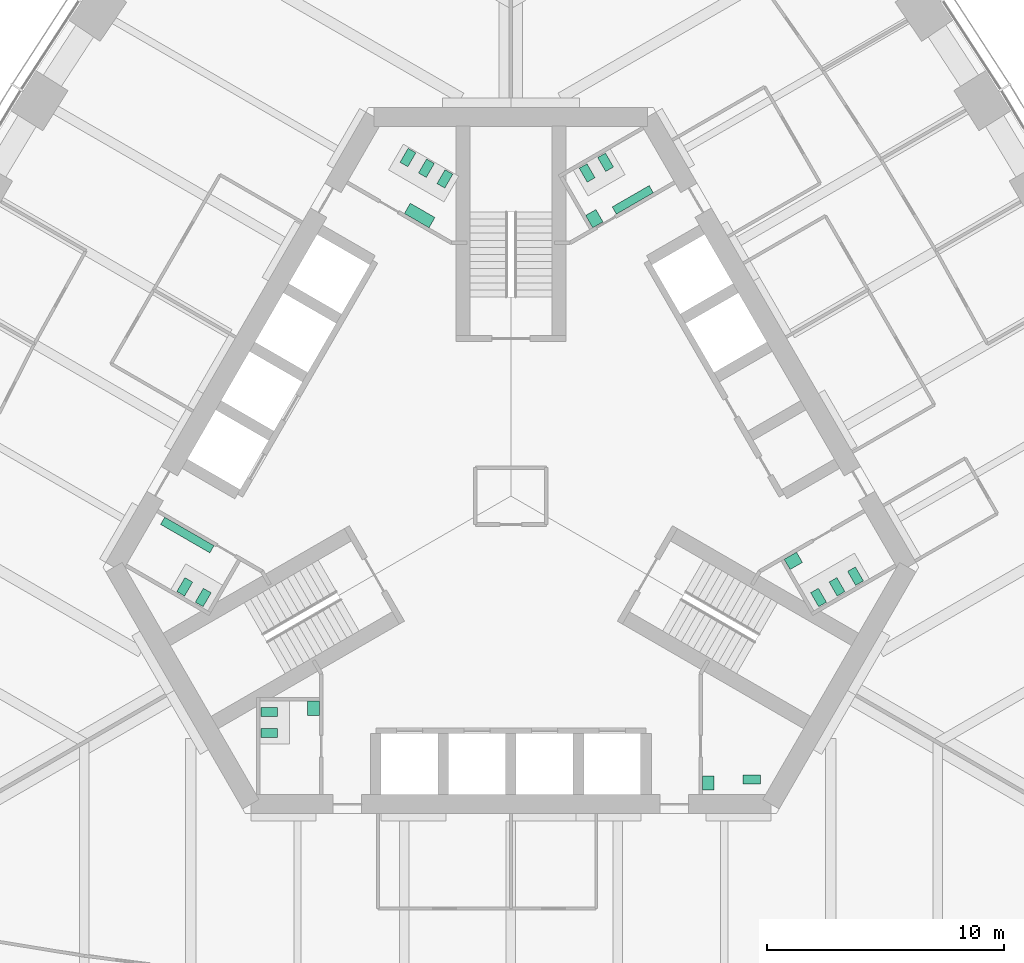
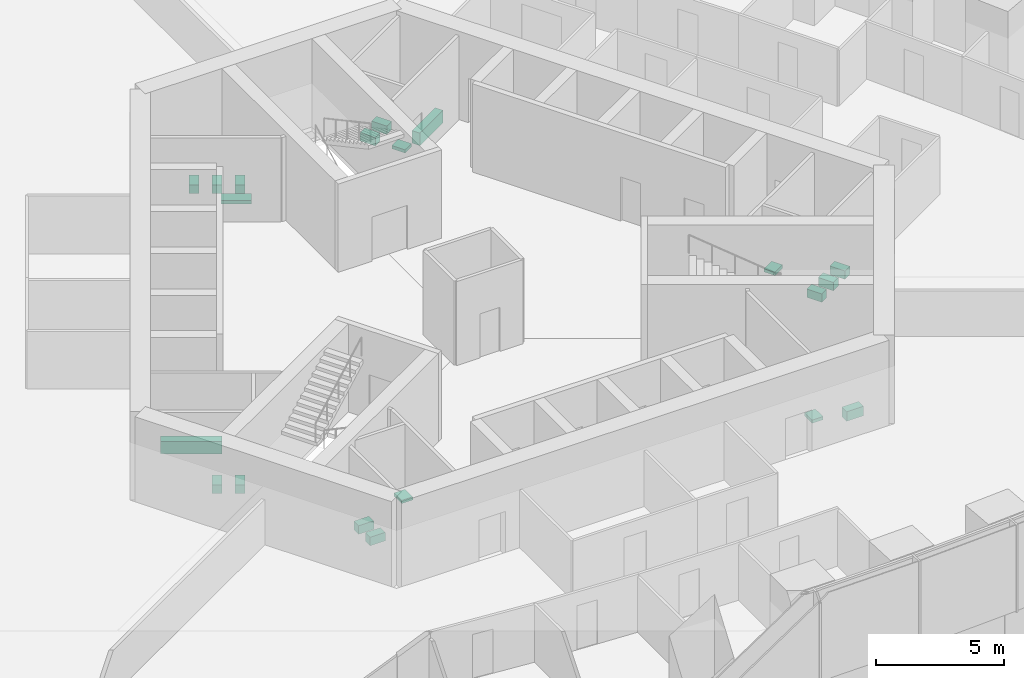
# One storey, part 17 of 18: 20 sanitary terminals.
"""IFC4 building model written with IfcOpenShell, lengths in metres."""

from ifc_helpers import new_model, si_unit, direction, frame, origin, place, context, subcontext, project, spatial, polyline, outline, extrude, material, type_object, element, save


model = new_model("IFC4")

# Units and contexts
model_context = context("Model", 3, precision=1e-05, world=origin(), true_north=direction((0.0, 1.0)))
body_context = subcontext(model_context, "Body", "Model", "MODEL_VIEW")
ifc_project = project(units=[si_unit("LENGTHUNIT", "METRE"), si_unit("AREAUNIT", "SQUARE_METRE"), si_unit("VOLUMEUNIT", "CUBIC_METRE"), si_unit("PLANEANGLEUNIT", "RADIAN"), si_unit("MASSUNIT", "GRAM", prefix="KILO")], contexts=[model_context])

# Site, building, storey
site_placement = place(None, origin())
site = spatial("IfcSite", under=ifc_project, at=site_placement, CompositionType="ELEMENT")
building_placement = place(site_placement, origin())
building = spatial("IfcBuilding", under=site, at=building_placement, Name="Trefoil Bronze Tower", CompositionType="ELEMENT")
storey_placement = place(building_placement, frame((0.0, 0.0, 157.699951171875)))
storey = spatial("IfcBuildingStorey", under=building, at=storey_placement, Name="L36", CompositionType="ELEMENT", Elevation=157.699951171875)

# Sanitary terminals
ifc_material_1 = material(Name="Vitreous china", Category="ceramic")
sanitary_terminal_type_1 = type_object("IfcSanitaryTerminalType", Name="Accessible WC pan", PredefinedType="TOILETPAN", material=ifc_material_1)
sanitary_terminal_1_placement = place(storey_placement, origin())
element("IfcSanitaryTerminal", 1, at=sanitary_terminal_1_placement, inside=storey, type_object=sanitary_terminal_type_1, Name="WC pan 1 Accessible WC L36", PredefinedType="TOILETPAN", context=body_context, shape_type="SweptSolid", body=[
    extrude(outline(polyline([(9.784912109375, -11.77001953125), (10.534912109375, -11.77001953125), (10.534912109375, -12.14990234375), (9.784912109375, -12.14990234375), (9.784912109375, -11.77001953125)])), origin(), (0.0, 0.0, 1.0), 0.449951171875),
])
ifc_material_2 = material(Name="Vitreous china", Category="ceramic")
sanitary_terminal_type_2 = type_object("IfcSanitaryTerminalType", Name="Accessible basin", PredefinedType="WASHHANDBASIN", material=ifc_material_2)
sanitary_terminal_2_placement = place(storey_placement, frame((0.0, 0.0, 0.650146484375)))
element("IfcSanitaryTerminal", 2, at=sanitary_terminal_2_placement, inside=storey, type_object=sanitary_terminal_type_2, Name="Wash basin Accessible WC L36", PredefinedType="WASHHANDBASIN", context=body_context, shape_type="SweptSolid", body=[
    extrude(outline(polyline([(8.074951171875, -11.800048828125), (8.574951171875, -11.800048828125), (8.574951171875, -12.39990234375), (8.074951171875, -12.39990234375), (8.074951171875, -11.800048828125)])), origin(), (0.0, 0.0, 1.0), 0.14990234375),
])
ifc_material_3 = material(Name="Vitreous china", Category="ceramic")
sanitary_terminal_type_3 = type_object("IfcSanitaryTerminalType", Name="Urinal range 3 urinals", PredefinedType="URINAL", material=ifc_material_3)
sanitary_terminal_3_placement = place(storey_placement, frame((0.0, 0.0, 0.400146484375)))
element("IfcSanitaryTerminal", 3, at=sanitary_terminal_3_placement, inside=storey, type_object=sanitary_terminal_type_3, Name="Urinal range WC (men) L36", PredefinedType="URINAL", context=body_context, shape_type="SweptSolid", body=[
    extrude(outline(polyline([(4.449462890625, 11.89306640625), (4.274658203125, 12.1962890625), (5.83349609375, 13.09619140625), (6.00830078125, 12.793212890625), (4.449462890625, 11.89306640625)])), origin(), (0.0, 0.0, 1.0), 0.599853515625),
])
ifc_material_4 = material(Name="Vitreous china", Category="ceramic")
sanitary_terminal_type_4 = type_object("IfcSanitaryTerminalType", Name="Urinal range 4 urinals", PredefinedType="URINAL", material=ifc_material_4)
sanitary_terminal_4_placement = place(storey_placement, frame((0.0, 0.0, 0.400146484375)))
element("IfcSanitaryTerminal", 4, at=sanitary_terminal_4_placement, inside=storey, type_object=sanitary_terminal_type_4, Name="Urinal range WC (men) L36", PredefinedType="URINAL", context=body_context, shape_type="SweptSolid", body=[
    extrude(outline(polyline([(-12.524658203125, -2.09326171875), (-12.699462890625, -2.396240234375), (-14.778076171875, -1.1962890625), (-14.60302734375, -0.89306640625), (-12.524658203125, -2.09326171875)])), origin(), (0.0, 0.0, 1.0), 0.599853515625),
])
ifc_material_5 = material(Name="Solid surface vanity", Category="plastic")
sanitary_terminal_type_5 = type_object("IfcSanitaryTerminalType", Name="Vanity unit 1 basins", PredefinedType="WASHHANDBASIN", material=ifc_material_5)
sanitary_terminal_5_placement = place(storey_placement, frame((0.0, 0.0, 0.75)))
element("IfcSanitaryTerminal", 5, at=sanitary_terminal_5_placement, inside=storey, type_object=sanitary_terminal_type_5, Name="Vanity unit WC (women) L36", PredefinedType="WASHHANDBASIN", context=body_context, shape_type="SweptSolid", body=[
    extrude(outline(polyline([(11.528564453125, -2.668212890625), (11.778564453125, -3.10107421875), (12.29833984375, -2.80126953125), (12.04833984375, -2.3681640625), (11.528564453125, -2.668212890625)])), origin(), (0.0, 0.0, 1.0), 0.150146484375),
])
sanitary_terminal_6_placement = place(storey_placement, frame((0.0, 0.0, 0.75)))
element("IfcSanitaryTerminal", 6, at=sanitary_terminal_6_placement, inside=storey, type_object=sanitary_terminal_type_5, Name="Vanity unit WC (men) L36", PredefinedType="WASHHANDBASIN", context=body_context, shape_type="SweptSolid", body=[
    extrude(outline(polyline([(3.45361328125, 11.318115234375), (3.153564453125, 11.837890625), (3.586669921875, 12.087890625), (3.88671875, 11.568115234375), (3.45361328125, 11.318115234375)])), origin(), (0.0, 0.0, 1.0), 0.150146484375),
])
sanitary_terminal_7_placement = place(storey_placement, frame((0.0, 0.0, 0.75)))
element("IfcSanitaryTerminal", 7, at=sanitary_terminal_7_placement, inside=storey, type_object=sanitary_terminal_type_5, Name="Vanity unit WC (women) L36", PredefinedType="WASHHANDBASIN", context=body_context, shape_type="SweptSolid", body=[
    extrude(outline(polyline([(-8.074951171875, -8.64990234375), (-8.574951171875, -8.64990234375), (-8.574951171875, -9.25), (-8.074951171875, -9.25), (-8.074951171875, -8.64990234375)])), origin(), (0.0, 0.0, 1.0), 0.150146484375),
])
ifc_material_6 = material(Name="Solid surface vanity", Category="plastic")
sanitary_terminal_type_6 = type_object("IfcSanitaryTerminalType", Name="Vanity unit 2 basins", PredefinedType="WASHHANDBASIN", material=ifc_material_6)
sanitary_terminal_8_placement = place(storey_placement, frame((0.0, 0.0, 0.75)))
element("IfcSanitaryTerminal", 8, at=sanitary_terminal_8_placement, inside=storey, type_object=sanitary_terminal_type_6, Name="Vanity unit WC (women) L36", PredefinedType="WASHHANDBASIN", context=body_context, shape_type="SweptSolid", body=[
    extrude(outline(polyline([(-3.45361328125, 11.318115234375), (-3.20361328125, 11.751220703125), (-4.242919921875, 12.35107421875), (-4.492919921875, 11.918212890625), (-3.45361328125, 11.318115234375)])), origin(), (0.0, 0.0, 1.0), 0.150146484375),
])
ifc_material_7 = material(Name="Vitreous china", Category="ceramic")
sanitary_terminal_type_7 = type_object("IfcSanitaryTerminalType", Name="WC pan", PredefinedType="TOILETPAN", material=ifc_material_7)
sanitary_terminal_9_placement = place(storey_placement, origin())
element("IfcSanitaryTerminal", 9, at=sanitary_terminal_9_placement, inside=storey, type_object=sanitary_terminal_type_7, Name="WC pan 1 WC (women) L36", PredefinedType="TOILETPAN", context=body_context, shape_type="SweptSolid", body=[
    extrude(outline(polyline([(12.643798828125, -4.07958984375), (12.98388671875, -4.66845703125), (13.31298828125, -4.478515625), (12.972900390625, -3.8896484375), (12.643798828125, -4.07958984375)])), origin(), (0.0, 0.0, 1.0), 0.400146484375),
])
sanitary_terminal_10_placement = place(storey_placement, origin())
element("IfcSanitaryTerminal", 10, at=sanitary_terminal_10_placement, inside=storey, type_object=sanitary_terminal_type_7, Name="WC pan 2 WC (women) L36", PredefinedType="TOILETPAN", context=body_context, shape_type="SweptSolid", body=[
    extrude(outline(polyline([(13.423095703125, -3.629638671875), (13.76318359375, -4.218505859375), (14.09228515625, -4.028564453125), (13.752197265625, -3.439697265625), (13.423095703125, -3.629638671875)])), origin(), (0.0, 0.0, 1.0), 0.400146484375),
])
sanitary_terminal_11_placement = place(storey_placement, origin())
element("IfcSanitaryTerminal", 11, at=sanitary_terminal_11_placement, inside=storey, type_object=sanitary_terminal_type_7, Name="WC pan 3 WC (women) L36", PredefinedType="TOILETPAN", context=body_context, shape_type="SweptSolid", body=[
    extrude(outline(polyline([(14.20263671875, -3.1796875), (14.542724609375, -3.7685546875), (14.871826171875, -3.57861328125), (14.53173828125, -2.98974609375), (14.20263671875, -3.1796875)])), origin(), (0.0, 0.0, 1.0), 0.400146484375),
])
sanitary_terminal_12_placement = place(storey_placement, origin())
element("IfcSanitaryTerminal", 12, at=sanitary_terminal_12_placement, inside=storey, type_object=sanitary_terminal_type_7, Name="WC pan 1 WC (men) L36", PredefinedType="TOILETPAN", context=body_context, shape_type="SweptSolid", body=[
    extrude(outline(polyline([(3.2216796875, 13.23974609375), (2.8818359375, 13.82861328125), (3.2109375, 14.0185546875), (3.55078125, 13.4296875), (3.2216796875, 13.23974609375)])), origin(), (0.0, 0.0, 1.0), 0.400146484375),
])
sanitary_terminal_13_placement = place(storey_placement, origin())
element("IfcSanitaryTerminal", 13, at=sanitary_terminal_13_placement, inside=storey, type_object=sanitary_terminal_type_7, Name="WC pan 2 WC (men) L36", PredefinedType="TOILETPAN", context=body_context, shape_type="SweptSolid", body=[
    extrude(outline(polyline([(4.001220703125, 13.689697265625), (3.6611328125, 14.278564453125), (3.990234375, 14.468505859375), (4.330322265625, 13.879638671875), (4.001220703125, 13.689697265625)])), origin(), (0.0, 0.0, 1.0), 0.400146484375),
])
sanitary_terminal_14_placement = place(storey_placement, origin())
element("IfcSanitaryTerminal", 14, at=sanitary_terminal_14_placement, inside=storey, type_object=sanitary_terminal_type_7, Name="WC pan 1 WC (women) L36", PredefinedType="TOILETPAN", context=body_context, shape_type="SweptSolid", body=[
    extrude(outline(polyline([(-2.788818359375, 12.98974609375), (-2.44873046875, 13.57861328125), (-2.77783203125, 13.7685546875), (-3.117919921875, 13.1796875), (-2.788818359375, 12.98974609375)])), origin(), (0.0, 0.0, 1.0), 0.400146484375),
])
sanitary_terminal_15_placement = place(storey_placement, origin())
element("IfcSanitaryTerminal", 15, at=sanitary_terminal_15_placement, inside=storey, type_object=sanitary_terminal_type_7, Name="WC pan 2 WC (women) L36", PredefinedType="TOILETPAN", context=body_context, shape_type="SweptSolid", body=[
    extrude(outline(polyline([(-3.568115234375, 13.439697265625), (-3.228271484375, 14.028564453125), (-3.557373046875, 14.218505859375), (-3.897216796875, 13.629638671875), (-3.568115234375, 13.439697265625)])), origin(), (0.0, 0.0, 1.0), 0.400146484375),
])
sanitary_terminal_16_placement = place(storey_placement, origin())
element("IfcSanitaryTerminal", 16, at=sanitary_terminal_16_placement, inside=storey, type_object=sanitary_terminal_type_7, Name="WC pan 3 WC (women) L36", PredefinedType="TOILETPAN", context=body_context, shape_type="SweptSolid", body=[
    extrude(outline(polyline([(-4.34765625, 13.8896484375), (-4.007568359375, 14.478515625), (-4.336669921875, 14.66845703125), (-4.6767578125, 14.07958984375), (-4.34765625, 13.8896484375)])), origin(), (0.0, 0.0, 1.0), 0.400146484375),
])
sanitary_terminal_17_placement = place(storey_placement, origin())
element("IfcSanitaryTerminal", 17, at=sanitary_terminal_17_placement, inside=storey, type_object=sanitary_terminal_type_7, Name="WC pan 1 WC (men) L36", PredefinedType="TOILETPAN", context=body_context, shape_type="SweptSolid", body=[
    extrude(outline(polyline([(-12.643798828125, -4.07958984375), (-12.98388671875, -4.66845703125), (-13.31298828125, -4.478515625), (-12.972900390625, -3.8896484375), (-12.643798828125, -4.07958984375)])), origin(), (0.0, 0.0, 1.0), 0.400146484375),
])
sanitary_terminal_18_placement = place(storey_placement, origin())
element("IfcSanitaryTerminal", 18, at=sanitary_terminal_18_placement, inside=storey, type_object=sanitary_terminal_type_7, Name="WC pan 2 WC (men) L36", PredefinedType="TOILETPAN", context=body_context, shape_type="SweptSolid", body=[
    extrude(outline(polyline([(-13.423095703125, -3.629638671875), (-13.76318359375, -4.218505859375), (-14.09228515625, -4.028564453125), (-13.752197265625, -3.439697265625), (-13.423095703125, -3.629638671875)])), origin(), (0.0, 0.0, 1.0), 0.400146484375),
])
sanitary_terminal_19_placement = place(storey_placement, origin())
element("IfcSanitaryTerminal", 19, at=sanitary_terminal_19_placement, inside=storey, type_object=sanitary_terminal_type_7, Name="WC pan 1 WC (women) L36", PredefinedType="TOILETPAN", context=body_context, shape_type="SweptSolid", body=[
    extrude(outline(polyline([(-9.85498046875, -8.909912109375), (-10.534912109375, -8.909912109375), (-10.534912109375, -9.2900390625), (-9.85498046875, -9.2900390625), (-9.85498046875, -8.909912109375)])), origin(), (0.0, 0.0, 1.0), 0.400146484375),
])
sanitary_terminal_20_placement = place(storey_placement, origin())
element("IfcSanitaryTerminal", 20, at=sanitary_terminal_20_placement, inside=storey, type_object=sanitary_terminal_type_7, Name="WC pan 2 WC (women) L36", PredefinedType="TOILETPAN", context=body_context, shape_type="SweptSolid", body=[
    extrude(outline(polyline([(-9.85498046875, -9.81005859375), (-10.534912109375, -9.81005859375), (-10.534912109375, -10.18994140625), (-9.85498046875, -10.18994140625), (-9.85498046875, -9.81005859375)])), origin(), (0.0, 0.0, 1.0), 0.400146484375),
])

save(model, "model.ifc")
